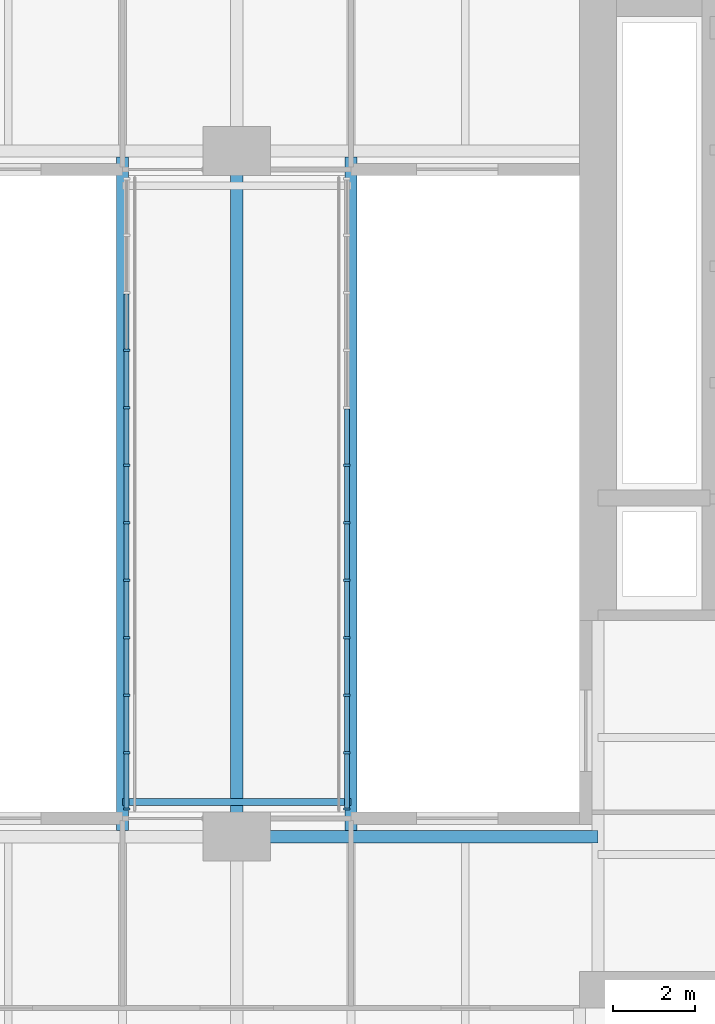
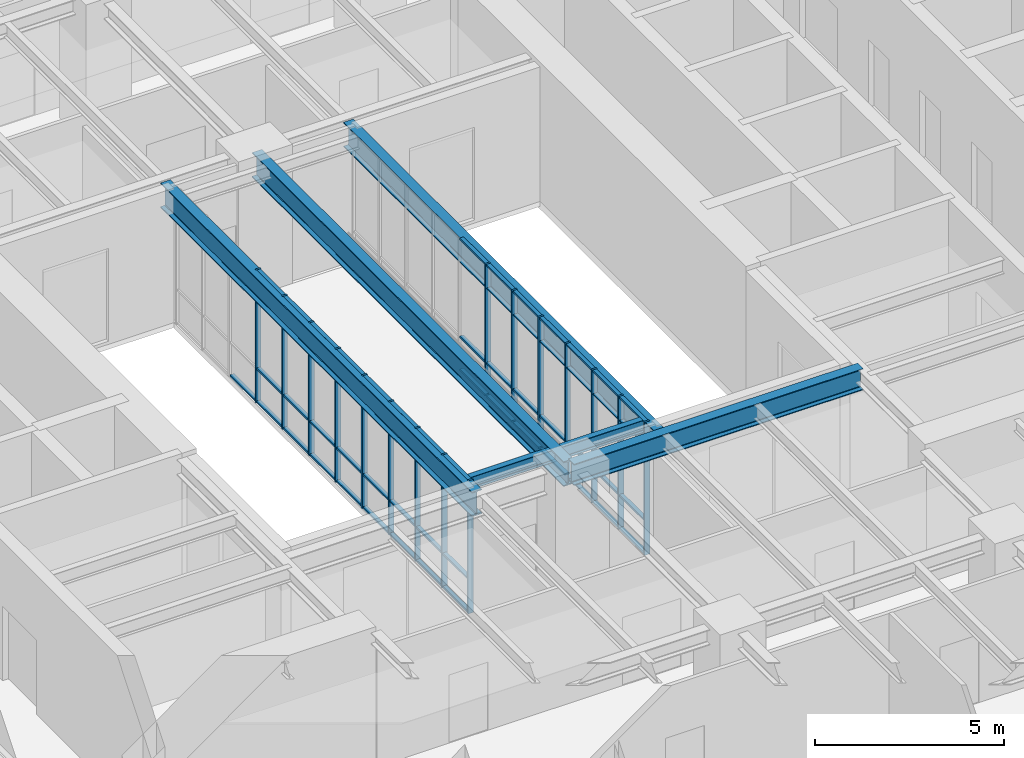
# One storey, part 2 of 17: 62 members, 5 beams, 2 elements without a shape of their own.
"""IFC4 building model written with IfcOpenShell, lengths in metres."""

from ifc_helpers import new_model, si_unit, direction, frame, origin, origin_2d, place, context, subcontext, project, spatial, rectangle, i_section, extrude, material, material_profile, profile_set, type_object, element, aggregate, save


model = new_model("IFC4")

# Units and contexts
model_context = context("Model", 3, precision=1e-05, world=origin(), true_north=direction((0.0, 1.0)))
body_context = subcontext(model_context, "Body", "Model", "MODEL_VIEW")
ifc_project = project(units=[si_unit("LENGTHUNIT", "METRE"), si_unit("AREAUNIT", "SQUARE_METRE"), si_unit("VOLUMEUNIT", "CUBIC_METRE"), si_unit("PLANEANGLEUNIT", "RADIAN"), si_unit("MASSUNIT", "GRAM", prefix="KILO")], contexts=[model_context])

# Site, building, storey
site_placement = place(None, origin())
site = spatial("IfcSite", under=ifc_project, at=site_placement, CompositionType="ELEMENT")
building_placement = place(site_placement, origin())
building = spatial("IfcBuilding", under=site, at=building_placement, Name="Claustro Exchange Tower", CompositionType="ELEMENT")
storey_placement = place(building_placement, frame((0.0, 0.0, 96.300048828125)))
storey = spatial("IfcBuildingStorey", under=building, at=storey_placement, Name="L21", CompositionType="ELEMENT", Elevation=96.300048828125)

# Beams
ifc_material_1 = material(Name="Steel S355", Category="steel")
ifc_material_profile_1 = material_profile(ifc_material_1, i_section(OverallWidth=0.300048828125, OverallDepth=0.68994140625, WebThickness=0.014404296875, FlangeThickness=0.027099609375, FilletRadius=0.027099609375, at=origin_2d()), Name="HE 700 A")
ifc_profile_set_1 = profile_set([ifc_material_profile_1], Name="Steel S355")
beam_type_1 = type_object("IfcBeamType", Name="B13 HE 700 A light well edge girder", PredefinedType="BEAM", material=ifc_profile_set_1)
beam_1_placement = place(storey_placement, frame((25.199951171875, 16.800048828125, 4.0048828125), z_axis=(1.0, 0.0, 0.0), x_axis=(0.0, 1.0, 0.0)))
element("IfcBeam", 1, at=beam_1_placement, inside=storey, type_object=beam_type_1, Name="Beam B13 L22", PredefinedType="BEAM", context=body_context, shape_type="SweptSolid", body=[
    extrude(i_section(OverallWidth=0.300048828125, OverallDepth=0.68994140625, WebThickness=0.014404296875, FlangeThickness=0.027099609375, FilletRadius=0.027099609375, at=origin_2d()), origin(), (0.0, 0.0, 1.0), 8.85009765625),
])
ifc_material_2 = material(Name="Steel S355", Category="steel")
ifc_material_profile_2 = material_profile(ifc_material_2, i_section(OverallWidth=0.300048828125, OverallDepth=0.800048828125, WebThickness=0.017578125, FlangeThickness=0.032958984375, FilletRadius=0.030029296875, at=origin_2d()), Name="HE 800 B")
ifc_profile_set_2 = profile_set([ifc_material_profile_2], Name="Steel S355")
beam_type_2 = type_object("IfcBeamType", Name="B15 HE 800 B bridge roof girder", PredefinedType="BEAM", material=ifc_profile_set_2)
for number, where, z_axis, x_axis, name in (
    (2, (22.39990234375, 16.949951171875, 3.89990234375), (0.0, 1.0, 0.0), (-1.0, 0.0, 0.0), "Sky bridge girder B15 L21"),
    (3, (25.199951171875, 16.949951171875, 3.89990234375), (0.0, 1.0, 0.0), (-1.0, 0.0, 0.0), "Sky bridge girder B15 L21"),
    (4, (28.0, 16.949951171875, 3.89990234375), (0.0, 1.0, 0.0), (-1.0, 0.0, 0.0), "Sky bridge girder B15 L21"),
):
    element("IfcBeam", number, at=place(storey_placement, frame(where, z_axis=z_axis, x_axis=x_axis)), inside=storey, type_object=beam_type_2, Name=name, PredefinedType="BEAM", context=body_context, shape_type="SweptSolid", body=[
        extrude(i_section(OverallWidth=0.300048828125, OverallDepth=0.800048828125, WebThickness=0.017578125, FlangeThickness=0.032958984375, FilletRadius=0.030029296875, at=origin_2d()), origin(), (0.0, 0.0, 1.0), 16.5),
    ])
ifc_material_3 = material(Name="Steel S355", Category="steel")
ifc_material_profile_3 = material_profile(ifc_material_3, i_section(OverallWidth=0.179931640625, OverallDepth=0.39990234375, WebThickness=0.008544921875, FlangeThickness=0.013427734375, FilletRadius=0.02099609375, at=origin_2d()), Name="IPE 400")
ifc_profile_set_3 = profile_set([ifc_material_profile_3], Name="Steel S355")
beam_type_3 = type_object("IfcBeamType", Name="B21 IPE 400 sky bridge end trimmer", PredefinedType="BEAM", material=ifc_profile_set_3)
beam_2_placement = place(storey_placement, frame((22.39990234375, 17.64990234375, 4.099853515625), z_axis=(1.0, 0.0, 0.0), x_axis=(0.0, 1.0, 0.0)))
element("IfcBeam", 5, at=beam_2_placement, inside=storey, type_object=beam_type_3, Name="Sky bridge end trimmer B21 L21", PredefinedType="BEAM", context=body_context, shape_type="SweptSolid", body=[
    extrude(i_section(OverallWidth=0.179931640625, OverallDepth=0.39990234375, WebThickness=0.008544921875, FlangeThickness=0.013427734375, FilletRadius=0.02099609375, at=origin_2d()), origin(), (0.0, 0.0, 1.0), 5.60009765625),
])

# Curtain wall, members
ifc_material_4 = material(Name="Aluminium frame, clear double glazing", Category="aluminium")
curtain_wall_type = type_object("IfcCurtainWallType", Name="CW2 sky bridge curtain wall", PredefinedType="USERDEFINED", material=ifc_material_4)
curtain_wall_1_placement = place(storey_placement, origin())
curtain_wall_1 = element("IfcCurtainWall", 6, at=curtain_wall_1_placement, inside=storey, type_object=curtain_wall_type, Name="Curtain wall CW2 L21", ObjectType="STICK CURTAIN WALL", PredefinedType="USERDEFINED")
ifc_material_5 = material(Name="Aluminium mullion", Category="aluminium")
ifc_material_profile_4 = material_profile(ifc_material_5, rectangle(XDim=0.159912109375, YDim=0.06005859375, at=origin_2d()), Name="CW2-M 60x160")
ifc_profile_set_4 = profile_set([ifc_material_profile_4], Name="Aluminium mullion")
member_type_1 = type_object("IfcMemberType", Name="CW2-M 60 x 160 mullion", PredefinedType="MULLION", material=ifc_profile_set_4)
member_1_placement = place(storey_placement, frame((22.5, 17.47998046875, 0.0), z_axis=(0.0, 0.0, 1.0), x_axis=(-1.0, 0.0, 0.0)))
member_1 = element("IfcMember", 7, at=member_1_placement, type_object=member_type_1, Name="CW2 mullion 1", PredefinedType="MULLION", context=body_context, shape_type="SweptSolid", body=[
    extrude(rectangle(XDim=0.159912109375, YDim=0.06005859375, at=origin_2d()), origin(), (0.0, 0.0, 1.0), 4.300048828125),
])
member_2_placement = place(storey_placement, frame((22.5, 18.859130859375, 0.0), z_axis=(0.0, 0.0, 1.0), x_axis=(-1.0, 0.0, 0.0)))
member_2 = element("IfcMember", 8, at=member_2_placement, type_object=member_type_1, Name="CW2 mullion 2", PredefinedType="MULLION", context=body_context, shape_type="SweptSolid", body=[
    extrude(rectangle(XDim=0.159912109375, YDim=0.06005859375, at=origin_2d()), origin(), (0.0, 0.0, 1.0), 4.300048828125),
])
member_3_placement = place(storey_placement, frame((22.5, 20.26806640625, 0.0), z_axis=(0.0, 0.0, 1.0), x_axis=(-1.0, 0.0, 0.0)))
member_3 = element("IfcMember", 9, at=member_3_placement, type_object=member_type_1, Name="CW2 mullion 3", PredefinedType="MULLION", context=body_context, shape_type="SweptSolid", body=[
    extrude(rectangle(XDim=0.159912109375, YDim=0.06005859375, at=origin_2d()), origin(), (0.0, 0.0, 1.0), 4.300048828125),
])
member_4_placement = place(storey_placement, frame((22.5, 21.67724609375, 0.0), z_axis=(0.0, 0.0, 1.0), x_axis=(-1.0, 0.0, 0.0)))
member_4 = element("IfcMember", 10, at=member_4_placement, type_object=member_type_1, Name="CW2 mullion 4", PredefinedType="MULLION", context=body_context, shape_type="SweptSolid", body=[
    extrude(rectangle(XDim=0.159912109375, YDim=0.06005859375, at=origin_2d()), origin(), (0.0, 0.0, 1.0), 4.300048828125),
])
member_5_placement = place(storey_placement, frame((22.5, 23.08642578125, 0.0), z_axis=(0.0, 0.0, 1.0), x_axis=(-1.0, 0.0, 0.0)))
member_5 = element("IfcMember", 11, at=member_5_placement, type_object=member_type_1, Name="CW2 mullion 5", PredefinedType="MULLION", context=body_context, shape_type="SweptSolid", body=[
    extrude(rectangle(XDim=0.159912109375, YDim=0.06005859375, at=origin_2d()), origin(), (0.0, 0.0, 1.0), 4.300048828125),
])
member_6_placement = place(storey_placement, frame((22.5, 24.495361328125, 0.0), z_axis=(0.0, 0.0, 1.0), x_axis=(-1.0, 0.0, 0.0)))
member_6 = element("IfcMember", 12, at=member_6_placement, type_object=member_type_1, Name="CW2 mullion 6", PredefinedType="MULLION", context=body_context, shape_type="SweptSolid", body=[
    extrude(rectangle(XDim=0.159912109375, YDim=0.06005859375, at=origin_2d()), origin(), (0.0, 0.0, 1.0), 4.300048828125),
])
member_7_placement = place(storey_placement, frame((22.5, 25.904541015625, 0.0), z_axis=(0.0, 0.0, 1.0), x_axis=(-1.0, 0.0, 0.0)))
member_7 = element("IfcMember", 13, at=member_7_placement, type_object=member_type_1, Name="CW2 mullion 7", PredefinedType="MULLION", context=body_context, shape_type="SweptSolid", body=[
    extrude(rectangle(XDim=0.159912109375, YDim=0.06005859375, at=origin_2d()), origin(), (0.0, 0.0, 1.0), 4.300048828125),
])
member_8_placement = place(storey_placement, frame((22.5, 27.313720703125, 0.0), z_axis=(0.0, 0.0, 1.0), x_axis=(-1.0, 0.0, 0.0)))
member_8 = element("IfcMember", 14, at=member_8_placement, type_object=member_type_1, Name="CW2 mullion 8", PredefinedType="MULLION", context=body_context, shape_type="SweptSolid", body=[
    extrude(rectangle(XDim=0.159912109375, YDim=0.06005859375, at=origin_2d()), origin(), (0.0, 0.0, 1.0), 4.300048828125),
])
member_9_placement = place(storey_placement, frame((22.5, 28.72265625, 0.0), z_axis=(0.0, 0.0, 1.0), x_axis=(-1.0, 0.0, 0.0)))
member_9 = element("IfcMember", 15, at=member_9_placement, type_object=member_type_1, Name="CW2 mullion 9", PredefinedType="MULLION", context=body_context, shape_type="SweptSolid", body=[
    extrude(rectangle(XDim=0.159912109375, YDim=0.06005859375, at=origin_2d()), origin(), (0.0, 0.0, 1.0), 4.300048828125),
])

curtain_wall_2_placement = place(storey_placement, origin())
curtain_wall_2 = element("IfcCurtainWall", 16, at=curtain_wall_2_placement, inside=storey, type_object=curtain_wall_type, Name="Curtain wall CW2 L21", ObjectType="STICK CURTAIN WALL", PredefinedType="USERDEFINED")
member_10_placement = place(storey_placement, frame((27.89990234375, 17.47998046875, 0.0), z_axis=(0.0, 0.0, 1.0), x_axis=(-1.0, 0.0, 0.0)))
member_10 = element("IfcMember", 17, at=member_10_placement, type_object=member_type_1, Name="CW2 mullion 1", PredefinedType="MULLION", context=body_context, shape_type="SweptSolid", body=[
    extrude(rectangle(XDim=0.159912109375, YDim=0.06005859375, at=origin_2d()), origin(), (0.0, 0.0, 1.0), 4.300048828125),
])
member_11_placement = place(storey_placement, frame((27.89990234375, 18.859130859375, 0.0), z_axis=(0.0, 0.0, 1.0), x_axis=(-1.0, 0.0, 0.0)))
member_11 = element("IfcMember", 18, at=member_11_placement, type_object=member_type_1, Name="CW2 mullion 2", PredefinedType="MULLION", context=body_context, shape_type="SweptSolid", body=[
    extrude(rectangle(XDim=0.159912109375, YDim=0.06005859375, at=origin_2d()), origin(), (0.0, 0.0, 1.0), 4.300048828125),
])
member_12_placement = place(storey_placement, frame((27.89990234375, 20.26806640625, 0.0), z_axis=(0.0, 0.0, 1.0), x_axis=(-1.0, 0.0, 0.0)))
member_12 = element("IfcMember", 19, at=member_12_placement, type_object=member_type_1, Name="CW2 mullion 3", PredefinedType="MULLION", context=body_context, shape_type="SweptSolid", body=[
    extrude(rectangle(XDim=0.159912109375, YDim=0.06005859375, at=origin_2d()), origin(), (0.0, 0.0, 1.0), 4.300048828125),
])
member_13_placement = place(storey_placement, frame((27.89990234375, 21.67724609375, 0.0), z_axis=(0.0, 0.0, 1.0), x_axis=(-1.0, 0.0, 0.0)))
member_13 = element("IfcMember", 20, at=member_13_placement, type_object=member_type_1, Name="CW2 mullion 4", PredefinedType="MULLION", context=body_context, shape_type="SweptSolid", body=[
    extrude(rectangle(XDim=0.159912109375, YDim=0.06005859375, at=origin_2d()), origin(), (0.0, 0.0, 1.0), 4.300048828125),
])
member_14_placement = place(storey_placement, frame((27.89990234375, 23.08642578125, 0.0), z_axis=(0.0, 0.0, 1.0), x_axis=(-1.0, 0.0, 0.0)))
member_14 = element("IfcMember", 21, at=member_14_placement, type_object=member_type_1, Name="CW2 mullion 5", PredefinedType="MULLION", context=body_context, shape_type="SweptSolid", body=[
    extrude(rectangle(XDim=0.159912109375, YDim=0.06005859375, at=origin_2d()), origin(), (0.0, 0.0, 1.0), 4.300048828125),
])
member_15_placement = place(storey_placement, frame((27.89990234375, 24.495361328125, 0.0), z_axis=(0.0, 0.0, 1.0), x_axis=(-1.0, 0.0, 0.0)))
member_15 = element("IfcMember", 22, at=member_15_placement, type_object=member_type_1, Name="CW2 mullion 6", PredefinedType="MULLION", context=body_context, shape_type="SweptSolid", body=[
    extrude(rectangle(XDim=0.159912109375, YDim=0.06005859375, at=origin_2d()), origin(), (0.0, 0.0, 1.0), 4.300048828125),
])
member_16_placement = place(storey_placement, frame((27.89990234375, 25.904541015625, 0.0), z_axis=(0.0, 0.0, 1.0), x_axis=(-1.0, 0.0, 0.0)))
member_16 = element("IfcMember", 23, at=member_16_placement, type_object=member_type_1, Name="CW2 mullion 7", PredefinedType="MULLION", context=body_context, shape_type="SweptSolid", body=[
    extrude(rectangle(XDim=0.159912109375, YDim=0.06005859375, at=origin_2d()), origin(), (0.0, 0.0, 1.0), 4.300048828125),
])

# Member
ifc_material_6 = material(Name="Aluminium transom", Category="aluminium")
ifc_material_profile_5 = material_profile(ifc_material_6, rectangle(XDim=0.1201171875, YDim=0.06005859375, at=origin_2d()), Name="CW2-T 60x120")
ifc_profile_set_5 = profile_set([ifc_material_profile_5], Name="Aluminium transom")
member_type_2 = type_object("IfcMemberType", Name="CW2-T 60 x 120 transom", PredefinedType="USERDEFINED", material=ifc_profile_set_5)
member_17_placement = place(storey_placement, frame((22.5, 17.510009765625, 0.030029296875), z_axis=(0.0, 1.0, 0.0), x_axis=(-1.0, 0.0, 0.0)))
member_17 = element("IfcMember", 24, at=member_17_placement, type_object=member_type_2, Name="CW2 transom 1.1", ObjectType="TRANSOM", PredefinedType="USERDEFINED", context=body_context, shape_type="SweptSolid", body=[
    extrude(rectangle(XDim=0.1201171875, YDim=0.06005859375, at=origin_2d()), origin(), (0.0, 0.0, 1.0), 1.319091796875),
])

member_18_placement = place(storey_placement, frame((22.5, 17.510009765625, 1.099853515625), z_axis=(0.0, 1.0, 0.0), x_axis=(-1.0, 0.0, 0.0)))
member_18 = element("IfcMember", 25, at=member_18_placement, type_object=member_type_2, Name="CW2 transom 1.2", ObjectType="TRANSOM", PredefinedType="USERDEFINED", context=body_context, shape_type="SweptSolid", body=[
    extrude(rectangle(XDim=0.1201171875, YDim=0.06005859375, at=origin_2d()), origin(), (0.0, 0.0, 1.0), 1.319091796875),
])

member_19_placement = place(storey_placement, frame((22.5, 17.510009765625, 4.27001953125), z_axis=(0.0, 1.0, 0.0), x_axis=(-1.0, 0.0, 0.0)))
member_19 = element("IfcMember", 26, at=member_19_placement, type_object=member_type_2, Name="CW2 transom 1.3", ObjectType="TRANSOM", PredefinedType="USERDEFINED", context=body_context, shape_type="SweptSolid", body=[
    extrude(rectangle(XDim=0.1201171875, YDim=0.06005859375, at=origin_2d()), origin(), (0.0, 0.0, 1.0), 1.319091796875),
])

member_20_placement = place(storey_placement, frame((22.5, 18.88916015625, 0.030029296875), z_axis=(0.0, 1.0, 0.0), x_axis=(-1.0, 0.0, 0.0)))
member_20 = element("IfcMember", 27, at=member_20_placement, type_object=member_type_2, Name="CW2 transom 2.1", ObjectType="TRANSOM", PredefinedType="USERDEFINED", context=body_context, shape_type="SweptSolid", body=[
    extrude(rectangle(XDim=0.1201171875, YDim=0.06005859375, at=origin_2d()), origin(), (0.0, 0.0, 1.0), 1.34912109375),
])

member_21_placement = place(storey_placement, frame((22.5, 18.88916015625, 1.099853515625), z_axis=(0.0, 1.0, 0.0), x_axis=(-1.0, 0.0, 0.0)))
member_21 = element("IfcMember", 28, at=member_21_placement, type_object=member_type_2, Name="CW2 transom 2.2", ObjectType="TRANSOM", PredefinedType="USERDEFINED", context=body_context, shape_type="SweptSolid", body=[
    extrude(rectangle(XDim=0.1201171875, YDim=0.06005859375, at=origin_2d()), origin(), (0.0, 0.0, 1.0), 1.34912109375),
])

member_22_placement = place(storey_placement, frame((22.5, 18.88916015625, 4.27001953125), z_axis=(0.0, 1.0, 0.0), x_axis=(-1.0, 0.0, 0.0)))
member_22 = element("IfcMember", 29, at=member_22_placement, type_object=member_type_2, Name="CW2 transom 2.3", ObjectType="TRANSOM", PredefinedType="USERDEFINED", context=body_context, shape_type="SweptSolid", body=[
    extrude(rectangle(XDim=0.1201171875, YDim=0.06005859375, at=origin_2d()), origin(), (0.0, 0.0, 1.0), 1.34912109375),
])

member_23_placement = place(storey_placement, frame((22.5, 20.298095703125, 0.030029296875), z_axis=(0.0, 1.0, 0.0), x_axis=(-1.0, 0.0, 0.0)))
member_23 = element("IfcMember", 30, at=member_23_placement, type_object=member_type_2, Name="CW2 transom 3.1", ObjectType="TRANSOM", PredefinedType="USERDEFINED", context=body_context, shape_type="SweptSolid", body=[
    extrude(rectangle(XDim=0.1201171875, YDim=0.06005859375, at=origin_2d()), origin(), (0.0, 0.0, 1.0), 1.34912109375),
])

member_24_placement = place(storey_placement, frame((22.5, 20.298095703125, 1.099853515625), z_axis=(0.0, 1.0, 0.0), x_axis=(-1.0, 0.0, 0.0)))
member_24 = element("IfcMember", 31, at=member_24_placement, type_object=member_type_2, Name="CW2 transom 3.2", ObjectType="TRANSOM", PredefinedType="USERDEFINED", context=body_context, shape_type="SweptSolid", body=[
    extrude(rectangle(XDim=0.1201171875, YDim=0.06005859375, at=origin_2d()), origin(), (0.0, 0.0, 1.0), 1.34912109375),
])

member_25_placement = place(storey_placement, frame((22.5, 20.298095703125, 4.27001953125), z_axis=(0.0, 1.0, 0.0), x_axis=(-1.0, 0.0, 0.0)))
member_25 = element("IfcMember", 32, at=member_25_placement, type_object=member_type_2, Name="CW2 transom 3.3", ObjectType="TRANSOM", PredefinedType="USERDEFINED", context=body_context, shape_type="SweptSolid", body=[
    extrude(rectangle(XDim=0.1201171875, YDim=0.06005859375, at=origin_2d()), origin(), (0.0, 0.0, 1.0), 1.34912109375),
])

member_26_placement = place(storey_placement, frame((22.5, 21.707275390625, 0.030029296875), z_axis=(0.0, 1.0, 0.0), x_axis=(-1.0, 0.0, 0.0)))
member_26 = element("IfcMember", 33, at=member_26_placement, type_object=member_type_2, Name="CW2 transom 4.1", ObjectType="TRANSOM", PredefinedType="USERDEFINED", context=body_context, shape_type="SweptSolid", body=[
    extrude(rectangle(XDim=0.1201171875, YDim=0.06005859375, at=origin_2d()), origin(), (0.0, 0.0, 1.0), 1.34912109375),
])

member_27_placement = place(storey_placement, frame((22.5, 21.707275390625, 1.099853515625), z_axis=(0.0, 1.0, 0.0), x_axis=(-1.0, 0.0, 0.0)))
member_27 = element("IfcMember", 34, at=member_27_placement, type_object=member_type_2, Name="CW2 transom 4.2", ObjectType="TRANSOM", PredefinedType="USERDEFINED", context=body_context, shape_type="SweptSolid", body=[
    extrude(rectangle(XDim=0.1201171875, YDim=0.06005859375, at=origin_2d()), origin(), (0.0, 0.0, 1.0), 1.34912109375),
])

member_28_placement = place(storey_placement, frame((22.5, 21.707275390625, 4.27001953125), z_axis=(0.0, 1.0, 0.0), x_axis=(-1.0, 0.0, 0.0)))
member_28 = element("IfcMember", 35, at=member_28_placement, type_object=member_type_2, Name="CW2 transom 4.3", ObjectType="TRANSOM", PredefinedType="USERDEFINED", context=body_context, shape_type="SweptSolid", body=[
    extrude(rectangle(XDim=0.1201171875, YDim=0.06005859375, at=origin_2d()), origin(), (0.0, 0.0, 1.0), 1.34912109375),
])

member_29_placement = place(storey_placement, frame((22.5, 23.116455078125, 0.030029296875), z_axis=(0.0, 1.0, 0.0), x_axis=(-1.0, 0.0, 0.0)))
member_29 = element("IfcMember", 36, at=member_29_placement, type_object=member_type_2, Name="CW2 transom 5.1", ObjectType="TRANSOM", PredefinedType="USERDEFINED", context=body_context, shape_type="SweptSolid", body=[
    extrude(rectangle(XDim=0.1201171875, YDim=0.06005859375, at=origin_2d()), origin(), (0.0, 0.0, 1.0), 1.34912109375),
])

member_30_placement = place(storey_placement, frame((22.5, 23.116455078125, 1.099853515625), z_axis=(0.0, 1.0, 0.0), x_axis=(-1.0, 0.0, 0.0)))
member_30 = element("IfcMember", 37, at=member_30_placement, type_object=member_type_2, Name="CW2 transom 5.2", ObjectType="TRANSOM", PredefinedType="USERDEFINED", context=body_context, shape_type="SweptSolid", body=[
    extrude(rectangle(XDim=0.1201171875, YDim=0.06005859375, at=origin_2d()), origin(), (0.0, 0.0, 1.0), 1.34912109375),
])

member_31_placement = place(storey_placement, frame((22.5, 23.116455078125, 4.27001953125), z_axis=(0.0, 1.0, 0.0), x_axis=(-1.0, 0.0, 0.0)))
member_31 = element("IfcMember", 38, at=member_31_placement, type_object=member_type_2, Name="CW2 transom 5.3", ObjectType="TRANSOM", PredefinedType="USERDEFINED", context=body_context, shape_type="SweptSolid", body=[
    extrude(rectangle(XDim=0.1201171875, YDim=0.06005859375, at=origin_2d()), origin(), (0.0, 0.0, 1.0), 1.34912109375),
])

member_32_placement = place(storey_placement, frame((22.5, 24.525390625, 0.030029296875), z_axis=(0.0, 1.0, 0.0), x_axis=(-1.0, 0.0, 0.0)))
member_32 = element("IfcMember", 39, at=member_32_placement, type_object=member_type_2, Name="CW2 transom 6.1", ObjectType="TRANSOM", PredefinedType="USERDEFINED", context=body_context, shape_type="SweptSolid", body=[
    extrude(rectangle(XDim=0.1201171875, YDim=0.06005859375, at=origin_2d()), origin(), (0.0, 0.0, 1.0), 1.34912109375),
])

member_33_placement = place(storey_placement, frame((22.5, 24.525390625, 1.099853515625), z_axis=(0.0, 1.0, 0.0), x_axis=(-1.0, 0.0, 0.0)))
member_33 = element("IfcMember", 40, at=member_33_placement, type_object=member_type_2, Name="CW2 transom 6.2", ObjectType="TRANSOM", PredefinedType="USERDEFINED", context=body_context, shape_type="SweptSolid", body=[
    extrude(rectangle(XDim=0.1201171875, YDim=0.06005859375, at=origin_2d()), origin(), (0.0, 0.0, 1.0), 1.34912109375),
])

member_34_placement = place(storey_placement, frame((22.5, 24.525390625, 4.27001953125), z_axis=(0.0, 1.0, 0.0), x_axis=(-1.0, 0.0, 0.0)))
member_34 = element("IfcMember", 41, at=member_34_placement, type_object=member_type_2, Name="CW2 transom 6.3", ObjectType="TRANSOM", PredefinedType="USERDEFINED", context=body_context, shape_type="SweptSolid", body=[
    extrude(rectangle(XDim=0.1201171875, YDim=0.06005859375, at=origin_2d()), origin(), (0.0, 0.0, 1.0), 1.34912109375),
])

member_35_placement = place(storey_placement, frame((22.5, 25.9345703125, 0.030029296875), z_axis=(0.0, 1.0, 0.0), x_axis=(-1.0, 0.0, 0.0)))
member_35 = element("IfcMember", 42, at=member_35_placement, type_object=member_type_2, Name="CW2 transom 7.1", ObjectType="TRANSOM", PredefinedType="USERDEFINED", context=body_context, shape_type="SweptSolid", body=[
    extrude(rectangle(XDim=0.1201171875, YDim=0.06005859375, at=origin_2d()), origin(), (0.0, 0.0, 1.0), 1.34912109375),
])

member_36_placement = place(storey_placement, frame((22.5, 25.9345703125, 1.099853515625), z_axis=(0.0, 1.0, 0.0), x_axis=(-1.0, 0.0, 0.0)))
member_36 = element("IfcMember", 43, at=member_36_placement, type_object=member_type_2, Name="CW2 transom 7.2", ObjectType="TRANSOM", PredefinedType="USERDEFINED", context=body_context, shape_type="SweptSolid", body=[
    extrude(rectangle(XDim=0.1201171875, YDim=0.06005859375, at=origin_2d()), origin(), (0.0, 0.0, 1.0), 1.34912109375),
])

member_37_placement = place(storey_placement, frame((22.5, 25.9345703125, 4.27001953125), z_axis=(0.0, 1.0, 0.0), x_axis=(-1.0, 0.0, 0.0)))
member_37 = element("IfcMember", 44, at=member_37_placement, type_object=member_type_2, Name="CW2 transom 7.3", ObjectType="TRANSOM", PredefinedType="USERDEFINED", context=body_context, shape_type="SweptSolid", body=[
    extrude(rectangle(XDim=0.1201171875, YDim=0.06005859375, at=origin_2d()), origin(), (0.0, 0.0, 1.0), 1.34912109375),
])

member_38_placement = place(storey_placement, frame((22.5, 27.34375, 0.030029296875), z_axis=(0.0, 1.0, 0.0), x_axis=(-1.0, 0.0, 0.0)))
member_38 = element("IfcMember", 45, at=member_38_placement, type_object=member_type_2, Name="CW2 transom 8.1", ObjectType="TRANSOM", PredefinedType="USERDEFINED", context=body_context, shape_type="SweptSolid", body=[
    extrude(rectangle(XDim=0.1201171875, YDim=0.06005859375, at=origin_2d()), origin(), (0.0, 0.0, 1.0), 1.348876953125),
])

member_39_placement = place(storey_placement, frame((22.5, 27.34375, 1.099853515625), z_axis=(0.0, 1.0, 0.0), x_axis=(-1.0, 0.0, 0.0)))
member_39 = element("IfcMember", 46, at=member_39_placement, type_object=member_type_2, Name="CW2 transom 8.2", ObjectType="TRANSOM", PredefinedType="USERDEFINED", context=body_context, shape_type="SweptSolid", body=[
    extrude(rectangle(XDim=0.1201171875, YDim=0.06005859375, at=origin_2d()), origin(), (0.0, 0.0, 1.0), 1.348876953125),
])

member_40_placement = place(storey_placement, frame((22.5, 27.34375, 4.27001953125), z_axis=(0.0, 1.0, 0.0), x_axis=(-1.0, 0.0, 0.0)))
member_40 = element("IfcMember", 47, at=member_40_placement, type_object=member_type_2, Name="CW2 transom 8.3", ObjectType="TRANSOM", PredefinedType="USERDEFINED", context=body_context, shape_type="SweptSolid", body=[
    extrude(rectangle(XDim=0.1201171875, YDim=0.06005859375, at=origin_2d()), origin(), (0.0, 0.0, 1.0), 1.348876953125),
])

member_41_placement = place(storey_placement, frame((22.5, 28.752685546875, 0.030029296875), z_axis=(0.0, 1.0, 0.0), x_axis=(-1.0, 0.0, 0.0)))
member_41 = element("IfcMember", 48, at=member_41_placement, type_object=member_type_2, Name="CW2 transom 9.1", ObjectType="TRANSOM", PredefinedType="USERDEFINED", context=body_context, shape_type="SweptSolid", body=[
    extrude(rectangle(XDim=0.1201171875, YDim=0.06005859375, at=origin_2d()), origin(), (0.0, 0.0, 1.0), 1.34912109375),
])

aggregate(curtain_wall_1, [member_1, member_2, member_3, member_4, member_5, member_6, member_7, member_8, member_9, member_17, member_18, member_19, member_20, member_21, member_22, member_23, member_24, member_25, member_26, member_27, member_28, member_29, member_30, member_31, member_32, member_33, member_34, member_35, member_36, member_37, member_38, member_39, member_40, member_41])

member_42_placement = place(storey_placement, frame((27.89990234375, 17.510009765625, 0.030029296875), z_axis=(0.0, 1.0, 0.0), x_axis=(-1.0, 0.0, 0.0)))
member_42 = element("IfcMember", 49, at=member_42_placement, type_object=member_type_2, Name="CW2 transom 1.1", ObjectType="TRANSOM", PredefinedType="USERDEFINED", context=body_context, shape_type="SweptSolid", body=[
    extrude(rectangle(XDim=0.1201171875, YDim=0.06005859375, at=origin_2d()), origin(), (0.0, 0.0, 1.0), 1.319091796875),
])

member_43_placement = place(storey_placement, frame((27.89990234375, 17.510009765625, 1.099853515625), z_axis=(0.0, 1.0, 0.0), x_axis=(-1.0, 0.0, 0.0)))
member_43 = element("IfcMember", 50, at=member_43_placement, type_object=member_type_2, Name="CW2 transom 1.2", ObjectType="TRANSOM", PredefinedType="USERDEFINED", context=body_context, shape_type="SweptSolid", body=[
    extrude(rectangle(XDim=0.1201171875, YDim=0.06005859375, at=origin_2d()), origin(), (0.0, 0.0, 1.0), 1.319091796875),
])

member_44_placement = place(storey_placement, frame((27.89990234375, 17.510009765625, 4.27001953125), z_axis=(0.0, 1.0, 0.0), x_axis=(-1.0, 0.0, 0.0)))
member_44 = element("IfcMember", 51, at=member_44_placement, type_object=member_type_2, Name="CW2 transom 1.3", ObjectType="TRANSOM", PredefinedType="USERDEFINED", context=body_context, shape_type="SweptSolid", body=[
    extrude(rectangle(XDim=0.1201171875, YDim=0.06005859375, at=origin_2d()), origin(), (0.0, 0.0, 1.0), 1.319091796875),
])

member_45_placement = place(storey_placement, frame((27.89990234375, 18.88916015625, 0.030029296875), z_axis=(0.0, 1.0, 0.0), x_axis=(-1.0, 0.0, 0.0)))
member_45 = element("IfcMember", 52, at=member_45_placement, type_object=member_type_2, Name="CW2 transom 2.1", ObjectType="TRANSOM", PredefinedType="USERDEFINED", context=body_context, shape_type="SweptSolid", body=[
    extrude(rectangle(XDim=0.1201171875, YDim=0.06005859375, at=origin_2d()), origin(), (0.0, 0.0, 1.0), 1.34912109375),
])

member_46_placement = place(storey_placement, frame((27.89990234375, 18.88916015625, 1.099853515625), z_axis=(0.0, 1.0, 0.0), x_axis=(-1.0, 0.0, 0.0)))
member_46 = element("IfcMember", 53, at=member_46_placement, type_object=member_type_2, Name="CW2 transom 2.2", ObjectType="TRANSOM", PredefinedType="USERDEFINED", context=body_context, shape_type="SweptSolid", body=[
    extrude(rectangle(XDim=0.1201171875, YDim=0.06005859375, at=origin_2d()), origin(), (0.0, 0.0, 1.0), 1.34912109375),
])

member_47_placement = place(storey_placement, frame((27.89990234375, 18.88916015625, 4.27001953125), z_axis=(0.0, 1.0, 0.0), x_axis=(-1.0, 0.0, 0.0)))
member_47 = element("IfcMember", 54, at=member_47_placement, type_object=member_type_2, Name="CW2 transom 2.3", ObjectType="TRANSOM", PredefinedType="USERDEFINED", context=body_context, shape_type="SweptSolid", body=[
    extrude(rectangle(XDim=0.1201171875, YDim=0.06005859375, at=origin_2d()), origin(), (0.0, 0.0, 1.0), 1.34912109375),
])

member_48_placement = place(storey_placement, frame((27.89990234375, 20.298095703125, 0.030029296875), z_axis=(0.0, 1.0, 0.0), x_axis=(-1.0, 0.0, 0.0)))
member_48 = element("IfcMember", 55, at=member_48_placement, type_object=member_type_2, Name="CW2 transom 3.1", ObjectType="TRANSOM", PredefinedType="USERDEFINED", context=body_context, shape_type="SweptSolid", body=[
    extrude(rectangle(XDim=0.1201171875, YDim=0.06005859375, at=origin_2d()), origin(), (0.0, 0.0, 1.0), 1.34912109375),
])

member_49_placement = place(storey_placement, frame((27.89990234375, 20.298095703125, 1.099853515625), z_axis=(0.0, 1.0, 0.0), x_axis=(-1.0, 0.0, 0.0)))
member_49 = element("IfcMember", 56, at=member_49_placement, type_object=member_type_2, Name="CW2 transom 3.2", ObjectType="TRANSOM", PredefinedType="USERDEFINED", context=body_context, shape_type="SweptSolid", body=[
    extrude(rectangle(XDim=0.1201171875, YDim=0.06005859375, at=origin_2d()), origin(), (0.0, 0.0, 1.0), 1.34912109375),
])

member_50_placement = place(storey_placement, frame((27.89990234375, 20.298095703125, 4.27001953125), z_axis=(0.0, 1.0, 0.0), x_axis=(-1.0, 0.0, 0.0)))
member_50 = element("IfcMember", 57, at=member_50_placement, type_object=member_type_2, Name="CW2 transom 3.3", ObjectType="TRANSOM", PredefinedType="USERDEFINED", context=body_context, shape_type="SweptSolid", body=[
    extrude(rectangle(XDim=0.1201171875, YDim=0.06005859375, at=origin_2d()), origin(), (0.0, 0.0, 1.0), 1.34912109375),
])

member_51_placement = place(storey_placement, frame((27.89990234375, 21.707275390625, 0.030029296875), z_axis=(0.0, 1.0, 0.0), x_axis=(-1.0, 0.0, 0.0)))
member_51 = element("IfcMember", 58, at=member_51_placement, type_object=member_type_2, Name="CW2 transom 4.1", ObjectType="TRANSOM", PredefinedType="USERDEFINED", context=body_context, shape_type="SweptSolid", body=[
    extrude(rectangle(XDim=0.1201171875, YDim=0.06005859375, at=origin_2d()), origin(), (0.0, 0.0, 1.0), 1.34912109375),
])

member_52_placement = place(storey_placement, frame((27.89990234375, 21.707275390625, 1.099853515625), z_axis=(0.0, 1.0, 0.0), x_axis=(-1.0, 0.0, 0.0)))
member_52 = element("IfcMember", 59, at=member_52_placement, type_object=member_type_2, Name="CW2 transom 4.2", ObjectType="TRANSOM", PredefinedType="USERDEFINED", context=body_context, shape_type="SweptSolid", body=[
    extrude(rectangle(XDim=0.1201171875, YDim=0.06005859375, at=origin_2d()), origin(), (0.0, 0.0, 1.0), 1.34912109375),
])

member_53_placement = place(storey_placement, frame((27.89990234375, 21.707275390625, 4.27001953125), z_axis=(0.0, 1.0, 0.0), x_axis=(-1.0, 0.0, 0.0)))
member_53 = element("IfcMember", 60, at=member_53_placement, type_object=member_type_2, Name="CW2 transom 4.3", ObjectType="TRANSOM", PredefinedType="USERDEFINED", context=body_context, shape_type="SweptSolid", body=[
    extrude(rectangle(XDim=0.1201171875, YDim=0.06005859375, at=origin_2d()), origin(), (0.0, 0.0, 1.0), 1.34912109375),
])

member_54_placement = place(storey_placement, frame((27.89990234375, 23.116455078125, 0.030029296875), z_axis=(0.0, 1.0, 0.0), x_axis=(-1.0, 0.0, 0.0)))
member_54 = element("IfcMember", 61, at=member_54_placement, type_object=member_type_2, Name="CW2 transom 5.1", ObjectType="TRANSOM", PredefinedType="USERDEFINED", context=body_context, shape_type="SweptSolid", body=[
    extrude(rectangle(XDim=0.1201171875, YDim=0.06005859375, at=origin_2d()), origin(), (0.0, 0.0, 1.0), 1.34912109375),
])

member_55_placement = place(storey_placement, frame((27.89990234375, 23.116455078125, 1.099853515625), z_axis=(0.0, 1.0, 0.0), x_axis=(-1.0, 0.0, 0.0)))
member_55 = element("IfcMember", 62, at=member_55_placement, type_object=member_type_2, Name="CW2 transom 5.2", ObjectType="TRANSOM", PredefinedType="USERDEFINED", context=body_context, shape_type="SweptSolid", body=[
    extrude(rectangle(XDim=0.1201171875, YDim=0.06005859375, at=origin_2d()), origin(), (0.0, 0.0, 1.0), 1.34912109375),
])

member_56_placement = place(storey_placement, frame((27.89990234375, 23.116455078125, 4.27001953125), z_axis=(0.0, 1.0, 0.0), x_axis=(-1.0, 0.0, 0.0)))
member_56 = element("IfcMember", 63, at=member_56_placement, type_object=member_type_2, Name="CW2 transom 5.3", ObjectType="TRANSOM", PredefinedType="USERDEFINED", context=body_context, shape_type="SweptSolid", body=[
    extrude(rectangle(XDim=0.1201171875, YDim=0.06005859375, at=origin_2d()), origin(), (0.0, 0.0, 1.0), 1.34912109375),
])

member_57_placement = place(storey_placement, frame((27.89990234375, 24.525390625, 0.030029296875), z_axis=(0.0, 1.0, 0.0), x_axis=(-1.0, 0.0, 0.0)))
member_57 = element("IfcMember", 64, at=member_57_placement, type_object=member_type_2, Name="CW2 transom 6.1", ObjectType="TRANSOM", PredefinedType="USERDEFINED", context=body_context, shape_type="SweptSolid", body=[
    extrude(rectangle(XDim=0.1201171875, YDim=0.06005859375, at=origin_2d()), origin(), (0.0, 0.0, 1.0), 1.34912109375),
])

member_58_placement = place(storey_placement, frame((27.89990234375, 24.525390625, 1.099853515625), z_axis=(0.0, 1.0, 0.0), x_axis=(-1.0, 0.0, 0.0)))
member_58 = element("IfcMember", 65, at=member_58_placement, type_object=member_type_2, Name="CW2 transom 6.2", ObjectType="TRANSOM", PredefinedType="USERDEFINED", context=body_context, shape_type="SweptSolid", body=[
    extrude(rectangle(XDim=0.1201171875, YDim=0.06005859375, at=origin_2d()), origin(), (0.0, 0.0, 1.0), 1.34912109375),
])

member_59_placement = place(storey_placement, frame((27.89990234375, 24.525390625, 4.27001953125), z_axis=(0.0, 1.0, 0.0), x_axis=(-1.0, 0.0, 0.0)))
member_59 = element("IfcMember", 66, at=member_59_placement, type_object=member_type_2, Name="CW2 transom 6.3", ObjectType="TRANSOM", PredefinedType="USERDEFINED", context=body_context, shape_type="SweptSolid", body=[
    extrude(rectangle(XDim=0.1201171875, YDim=0.06005859375, at=origin_2d()), origin(), (0.0, 0.0, 1.0), 1.34912109375),
])

member_60_placement = place(storey_placement, frame((27.89990234375, 25.9345703125, 0.030029296875), z_axis=(0.0, 1.0, 0.0), x_axis=(-1.0, 0.0, 0.0)))
member_60 = element("IfcMember", 67, at=member_60_placement, type_object=member_type_2, Name="CW2 transom 7.1", ObjectType="TRANSOM", PredefinedType="USERDEFINED", context=body_context, shape_type="SweptSolid", body=[
    extrude(rectangle(XDim=0.1201171875, YDim=0.06005859375, at=origin_2d()), origin(), (0.0, 0.0, 1.0), 1.34912109375),
])

member_61_placement = place(storey_placement, frame((27.89990234375, 25.9345703125, 1.099853515625), z_axis=(0.0, 1.0, 0.0), x_axis=(-1.0, 0.0, 0.0)))
member_61 = element("IfcMember", 68, at=member_61_placement, type_object=member_type_2, Name="CW2 transom 7.2", ObjectType="TRANSOM", PredefinedType="USERDEFINED", context=body_context, shape_type="SweptSolid", body=[
    extrude(rectangle(XDim=0.1201171875, YDim=0.06005859375, at=origin_2d()), origin(), (0.0, 0.0, 1.0), 1.34912109375),
])

member_62_placement = place(storey_placement, frame((27.89990234375, 25.9345703125, 4.27001953125), z_axis=(0.0, 1.0, 0.0), x_axis=(-1.0, 0.0, 0.0)))
member_62 = element("IfcMember", 69, at=member_62_placement, type_object=member_type_2, Name="CW2 transom 7.3", ObjectType="TRANSOM", PredefinedType="USERDEFINED", context=body_context, shape_type="SweptSolid", body=[
    extrude(rectangle(XDim=0.1201171875, YDim=0.06005859375, at=origin_2d()), origin(), (0.0, 0.0, 1.0), 1.34912109375),
])

aggregate(curtain_wall_2, [member_10, member_11, member_12, member_13, member_14, member_15, member_16, member_42, member_43, member_44, member_45, member_46, member_47, member_48, member_49, member_50, member_51, member_52, member_53, member_54, member_55, member_56, member_57, member_58, member_59, member_60, member_61, member_62])

save(model, "model.ifc")
